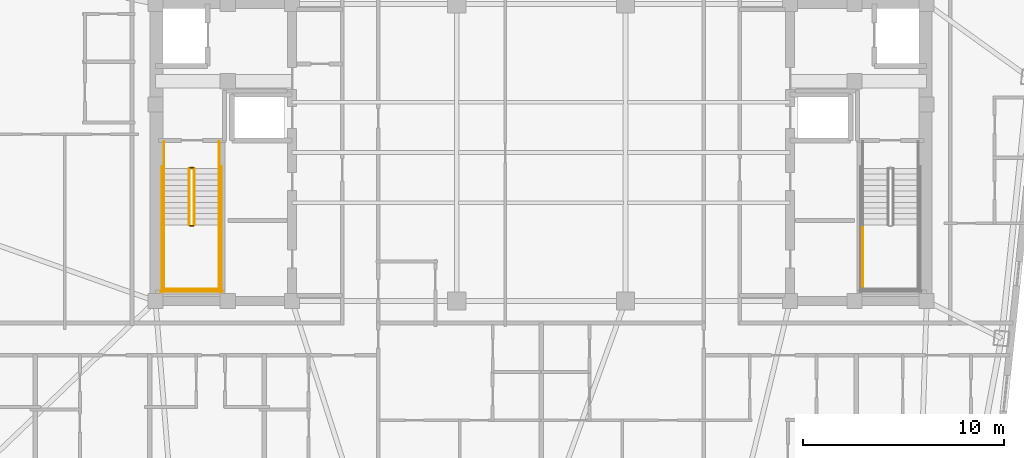
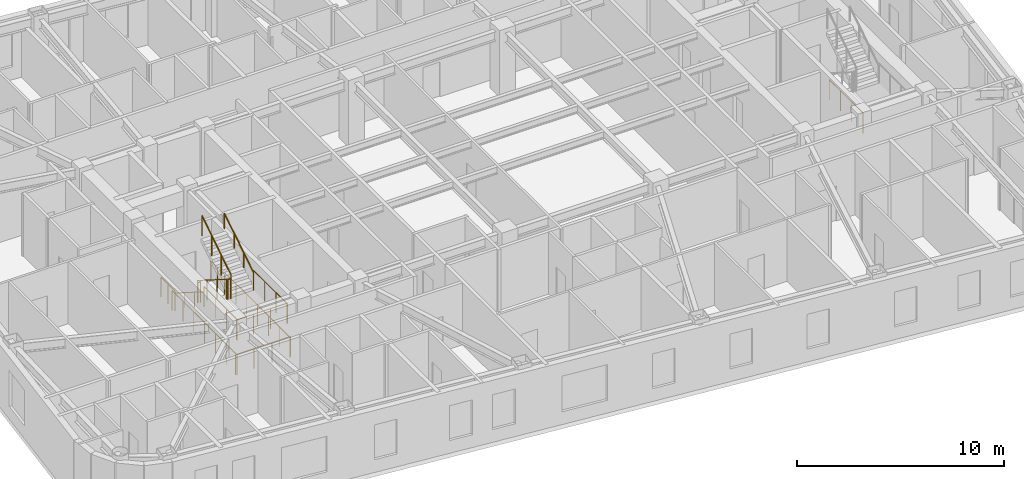
# One storey, part 10 of 11: 15 railings.
"""IFC4 building model written with IfcOpenShell, lengths in metres."""

from ifc_helpers import new_model, si_unit, direction, frame, origin, origin_2d, place, context, subcontext, project, spatial, circle, extrude, material, type_object, element, save


model = new_model("IFC4")

# Units and contexts
model_context = context("Model", 3, precision=1e-05, world=origin(), true_north=direction((0.0, 1.0)))
body_context = subcontext(model_context, "Body", "Model", "MODEL_VIEW")
ifc_project = project(units=[si_unit("LENGTHUNIT", "METRE"), si_unit("AREAUNIT", "SQUARE_METRE"), si_unit("VOLUMEUNIT", "CUBIC_METRE"), si_unit("PLANEANGLEUNIT", "RADIAN"), si_unit("MASSUNIT", "GRAM", prefix="KILO")], contexts=[model_context])

# Site, building, storey
site_placement = place(None, origin())
site = spatial("IfcSite", under=ifc_project, at=site_placement, CompositionType="ELEMENT")
building_placement = place(site_placement, origin())
building = spatial("IfcBuilding", under=site, at=building_placement, Name="Voryun Gate Residences", CompositionType="ELEMENT")
storey_placement = place(building_placement, frame((0.0, 0.0, 271.699951171875)))
storey = spatial("IfcBuildingStorey", under=building, at=storey_placement, Name="L67", CompositionType="ELEMENT", Elevation=271.699951171875)

# Railings
ifc_material_1 = material(Name="Painted steel", Category="steel")
railing_type_1 = type_object("IfcRailingType", Name="RAIL_STAIR_GUARD_1200", PredefinedType="GUARDRAIL", material=ifc_material_1)
railing_1_placement = place(storey_placement, frame((-17.52490234375, -0.800048828125, 0.17724609375)))
element("IfcRailing", 1, at=railing_1_placement, inside=storey, type_object=railing_type_1, Name="L67 ST-W1 stair guard 1", PredefinedType="GUARDRAIL", context=body_context, shape_type="SweptSolid", body=[
    extrude(circle(Radius=0.02392578125, at=origin_2d()), frame((0.0, 0.0, 1.17578125), z_axis=(0.0, -0.844908973607, 0.534910110503), x_axis=(1.0, 0.0, 0.0)), (0.0, 0.0, 1.0), 3.31396484375),
    extrude(circle(Radius=0.02099609375, at=origin_2d()), origin(), (0.0, 0.0, 1.0), 1.15185546875),
    extrude(circle(Radius=0.02099609375, at=origin_2d()), frame((0.0, -0.933349609375, 0.5908203125)), (0.0, 0.0, 1.0), 1.15185546875),
    extrude(circle(Radius=0.02099609375, at=origin_2d()), frame((0.0, -1.86669921875, 1.181884765625)), (0.0, 0.0, 1.0), 1.15185546875),
    extrude(circle(Radius=0.02099609375, at=origin_2d()), frame((0.0, -2.800048828125, 1.772705078125)), (0.0, 0.0, 1.0), 1.15185546875),
])
railing_2_placement = place(storey_placement, frame((-17.47509765625, -3.64990234375, 1.949951171875)))
element("IfcRailing", 2, at=railing_2_placement, inside=storey, type_object=railing_type_1, Name="L67 ST-W1 stair guard 2", PredefinedType="GUARDRAIL", context=body_context, shape_type="SweptSolid", body=[
    extrude(circle(Radius=0.02392578125, at=origin_2d()), frame((0.0, 0.0, 1.17578125), z_axis=(1.0, 0.0, 0.0), x_axis=(0.0, 1.0, 0.0)), (0.0, 0.0, 1.0), 0.150146484375),
    extrude(circle(Radius=0.02099609375, at=origin_2d()), origin(), (0.0, 0.0, 1.0), 1.15185546875),
    extrude(circle(Radius=0.02099609375, at=origin_2d()), frame((0.150146484375, 0.0, 0.0)), (0.0, 0.0, 1.0), 1.15185546875),
])
for number, where, name in (
    (3, (-18.77490234375, -3.60009765625, 1.949951171875), "L67 ST-W1 stair guard 3"),
    (4, (-16.02490234375, -3.60009765625, 1.949951171875), "L67 ST-W1 stair guard 4"),
):
    element("IfcRailing", number, at=place(storey_placement, frame(where)), inside=storey, type_object=railing_type_1, Name=name, PredefinedType="GUARDRAIL", context=body_context, shape_type="SweptSolid", body=[
        extrude(circle(Radius=0.02392578125, at=origin_2d()), frame((0.0, 0.0, 1.17578125), z_axis=(0.0, -1.0, 0.0), x_axis=(1.0, 0.0, 0.0)), (0.0, 0.0, 1.0), 3.25),
        extrude(circle(Radius=0.02099609375, at=origin_2d()), origin(), (0.0, 0.0, 1.0), 1.15185546875),
        extrude(circle(Radius=0.02099609375, at=origin_2d()), frame((0.0, -1.083251953125, 0.0)), (0.0, 0.0, 1.0), 1.15185546875),
        extrude(circle(Radius=0.02099609375, at=origin_2d()), frame((0.0, -2.166748046875, 0.0)), (0.0, 0.0, 1.0), 1.15185546875),
        extrude(circle(Radius=0.02099609375, at=origin_2d()), frame((0.0, -3.25, 0.0)), (0.0, 0.0, 1.0), 1.15185546875),
    ])
railing_3_placement = place(storey_placement, frame((-18.824951171875, -6.800048828125, 1.949951171875)))
element("IfcRailing", 5, at=railing_3_placement, inside=storey, type_object=railing_type_1, Name="L67 ST-W1 stair guard 5", PredefinedType="GUARDRAIL", context=body_context, shape_type="SweptSolid", body=[
    extrude(circle(Radius=0.02392578125, at=origin_2d()), frame((0.0, 0.0, 1.17578125), z_axis=(1.0, 0.0, 0.0), x_axis=(0.0, 1.0, 0.0)), (0.0, 0.0, 1.0), 2.849853515625),
    extrude(circle(Radius=0.02099609375, at=origin_2d()), origin(), (0.0, 0.0, 1.0), 1.15185546875),
    extrude(circle(Radius=0.02099609375, at=origin_2d()), frame((0.949951171875, 0.0, 0.0)), (0.0, 0.0, 1.0), 1.15185546875),
    extrude(circle(Radius=0.02099609375, at=origin_2d()), frame((1.89990234375, 0.0, 0.0)), (0.0, 0.0, 1.0), 1.15185546875),
    extrude(circle(Radius=0.02099609375, at=origin_2d()), frame((2.849853515625, 0.0, 0.0)), (0.0, 0.0, 1.0), 1.15185546875),
])
railing_4_placement = place(storey_placement, frame((-17.27490234375, -3.60009765625, 2.12744140625)))
element("IfcRailing", 6, at=railing_4_placement, inside=storey, type_object=railing_type_1, Name="L67 ST-W1 stair guard 6", PredefinedType="GUARDRAIL", context=body_context, shape_type="SweptSolid", body=[
    extrude(circle(Radius=0.02392578125, at=origin_2d()), frame((0.0, 0.0, 1.17578125), z_axis=(0.0, 0.844908973607, 0.534910110503), x_axis=(-1.0, 0.0, 0.0)), (0.0, 0.0, 1.0), 3.31396484375),
    extrude(circle(Radius=0.02099609375, at=origin_2d()), origin(), (0.0, 0.0, 1.0), 1.15185546875),
    extrude(circle(Radius=0.02099609375, at=origin_2d()), frame((0.0, 0.933349609375, 0.5908203125)), (0.0, 0.0, 1.0), 1.15185546875),
    extrude(circle(Radius=0.02099609375, at=origin_2d()), frame((0.0, 1.86669921875, 1.181884765625)), (0.0, 0.0, 1.0), 1.15185546875),
    extrude(circle(Radius=0.02099609375, at=origin_2d()), frame((0.0, 2.800048828125, 1.772705078125)), (0.0, 0.0, 1.0), 1.15185546875),
])
railing_5_placement = place(storey_placement, frame((-17.47509765625, -0.75, 0.0)))
element("IfcRailing", 7, at=railing_5_placement, inside=storey, type_object=railing_type_1, Name="L67 ST-W1 stair guard 7", PredefinedType="GUARDRAIL", context=body_context, shape_type="SweptSolid", body=[
    extrude(circle(Radius=0.02392578125, at=origin_2d()), frame((0.0, 0.0, 1.17578125), z_axis=(1.0, 0.0, 0.0), x_axis=(0.0, 1.0, 0.0)), (0.0, 0.0, 1.0), 0.150146484375),
    extrude(circle(Radius=0.02099609375, at=origin_2d()), origin(), (0.0, 0.0, 1.0), 1.15185546875),
    extrude(circle(Radius=0.02099609375, at=origin_2d()), frame((0.150146484375, 0.0, 0.0)), (0.0, 0.0, 1.0), 1.15185546875),
])
for number, where, name in (
    (8, (-18.77490234375, 0.550048828125, 0.0), "L67 ST-W1 stair guard 8"),
    (9, (-16.02490234375, 0.550048828125, 0.0), "L67 ST-W1 stair guard 9"),
):
    element("IfcRailing", number, at=place(storey_placement, frame(where)), inside=storey, type_object=railing_type_1, Name=name, PredefinedType="GUARDRAIL", context=body_context, shape_type="SweptSolid", body=[
        extrude(circle(Radius=0.02392578125, at=origin_2d()), frame((0.0, 0.0, 1.17578125), z_axis=(0.0, -1.0, 0.0), x_axis=(1.0, 0.0, 0.0)), (0.0, 0.0, 1.0), 1.35009765625),
        extrude(circle(Radius=0.02099609375, at=origin_2d()), origin(), (0.0, 0.0, 1.0), 1.15185546875),
        extrude(circle(Radius=0.02099609375, at=origin_2d()), frame((0.0, -0.675048828125, 0.0)), (0.0, 0.0, 1.0), 1.15185546875),
        extrude(circle(Radius=0.02099609375, at=origin_2d()), frame((0.0, -1.35009765625, 0.0)), (0.0, 0.0, 1.0), 1.15185546875),
    ])
for number, where, name in (
    (10, (-18.875, -0.699951171875, 0.0), "L67 ST-W1 stair guard 10"),
    (11, (-15.925048828125, -0.699951171875, 0.0), "L67 ST-W1 stair guard 11"),
):
    element("IfcRailing", number, at=place(storey_placement, frame(where)), inside=storey, type_object=railing_type_1, Name=name, PredefinedType="GUARDRAIL", context=body_context, shape_type="SweptSolid", body=[
        extrude(circle(Radius=0.02392578125, at=origin_2d()), frame((0.0, 0.0, 1.17578125), z_axis=(0.0, -1.0, 0.0), x_axis=(1.0, 0.0, 0.0)), (0.0, 0.0, 1.0), 6.25),
        extrude(circle(Radius=0.02099609375, at=origin_2d()), origin(), (0.0, 0.0, 1.0), 1.15185546875),
        extrude(circle(Radius=0.02099609375, at=origin_2d()), frame((0.0, -1.041748046875, 0.0)), (0.0, 0.0, 1.0), 1.15185546875),
        extrude(circle(Radius=0.02099609375, at=origin_2d()), frame((0.0, -2.083251953125, 0.0)), (0.0, 0.0, 1.0), 1.15185546875),
        extrude(circle(Radius=0.02099609375, at=origin_2d()), frame((0.0, -3.125, 0.0)), (0.0, 0.0, 1.0), 1.15185546875),
        extrude(circle(Radius=0.02099609375, at=origin_2d()), frame((0.0, -4.166748046875, 0.0)), (0.0, 0.0, 1.0), 1.15185546875),
        extrude(circle(Radius=0.02099609375, at=origin_2d()), frame((0.0, -5.208251953125, 0.0)), (0.0, 0.0, 1.0), 1.15185546875),
        extrude(circle(Radius=0.02099609375, at=origin_2d()), frame((0.0, -6.25, 0.0)), (0.0, 0.0, 1.0), 1.15185546875),
    ])
railing_6_placement = place(storey_placement, frame((-18.925048828125, -6.89990234375, 0.0)))
element("IfcRailing", 12, at=railing_6_placement, inside=storey, type_object=railing_type_1, Name="L67 ST-W1 stair guard 12", PredefinedType="GUARDRAIL", context=body_context, shape_type="SweptSolid", body=[
    extrude(circle(Radius=0.02392578125, at=origin_2d()), frame((0.0, 0.0, 1.17578125), z_axis=(1.0, 0.0, 0.0), x_axis=(0.0, 1.0, 0.0)), (0.0, 0.0, 1.0), 3.050048828125),
    extrude(circle(Radius=0.02099609375, at=origin_2d()), origin(), (0.0, 0.0, 1.0), 1.15185546875),
    extrude(circle(Radius=0.02099609375, at=origin_2d()), frame((1.0166015625, 0.0, 0.0)), (0.0, 0.0, 1.0), 1.15185546875),
    extrude(circle(Radius=0.02099609375, at=origin_2d()), frame((2.033447265625, 0.0, 0.0)), (0.0, 0.0, 1.0), 1.15185546875),
    extrude(circle(Radius=0.02099609375, at=origin_2d()), frame((3.050048828125, 0.0, 0.0)), (0.0, 0.0, 1.0), 1.15185546875),
])
railing_7_placement = place(storey_placement, frame((16.02490234375, -3.60009765625, 1.949951171875)))
element("IfcRailing", 13, at=railing_7_placement, inside=storey, type_object=railing_type_1, Name="L67 ST-E1 stair guard 3", PredefinedType="GUARDRAIL", context=body_context, shape_type="SweptSolid", body=[
    extrude(circle(Radius=0.02392578125, at=origin_2d()), frame((0.0, 0.0, 1.17578125), z_axis=(0.0, -1.0, 0.0), x_axis=(1.0, 0.0, 0.0)), (0.0, 0.0, 1.0), 3.25),
    extrude(circle(Radius=0.02099609375, at=origin_2d()), origin(), (0.0, 0.0, 1.0), 1.15185546875),
    extrude(circle(Radius=0.02099609375, at=origin_2d()), frame((0.0, -1.083251953125, 0.0)), (0.0, 0.0, 1.0), 1.15185546875),
    extrude(circle(Radius=0.02099609375, at=origin_2d()), frame((0.0, -2.166748046875, 0.0)), (0.0, 0.0, 1.0), 1.15185546875),
    extrude(circle(Radius=0.02099609375, at=origin_2d()), frame((0.0, -3.25, 0.0)), (0.0, 0.0, 1.0), 1.15185546875),
])
ifc_material_2 = material(Name="Painted steel", Category="steel")
railing_type_2 = type_object("IfcRailingType", Name="RAIL_STAIR_HANDRAIL_900", PredefinedType="HANDRAIL", material=ifc_material_2)
railing_8_placement = place(storey_placement, frame((-18.77490234375, -0.800048828125, 0.17724609375)))
element("IfcRailing", 14, at=railing_8_placement, inside=storey, type_object=railing_type_2, Name="L67 ST-W1 stair handrail 1", PredefinedType="HANDRAIL", context=body_context, shape_type="SweptSolid", body=[
    extrude(circle(Radius=0.02392578125, at=origin_2d()), frame((0.0, 0.0, 0.8759765625), z_axis=(0.0, -0.844908973607, 0.534910110503), x_axis=(1.0, 0.0, 0.0)), (0.0, 0.0, 1.0), 3.31396484375),
    extrude(circle(Radius=0.02099609375, at=origin_2d()), origin(), (0.0, 0.0, 1.0), 0.851806640625),
    extrude(circle(Radius=0.02099609375, at=origin_2d()), frame((0.0, -0.933349609375, 0.5908203125)), (0.0, 0.0, 1.0), 0.851806640625),
    extrude(circle(Radius=0.02099609375, at=origin_2d()), frame((0.0, -1.86669921875, 1.181884765625)), (0.0, 0.0, 1.0), 0.851806640625),
    extrude(circle(Radius=0.02099609375, at=origin_2d()), frame((0.0, -2.800048828125, 1.772705078125)), (0.0, 0.0, 1.0), 0.851806640625),
])
railing_9_placement = place(storey_placement, frame((-16.02490234375, -3.60009765625, 2.12744140625)))
element("IfcRailing", 15, at=railing_9_placement, inside=storey, type_object=railing_type_2, Name="L67 ST-W1 stair handrail 2", PredefinedType="HANDRAIL", context=body_context, shape_type="SweptSolid", body=[
    extrude(circle(Radius=0.02392578125, at=origin_2d()), frame((0.0, 0.0, 0.8759765625), z_axis=(0.0, 0.844908973607, 0.534910110503), x_axis=(-1.0, 0.0, 0.0)), (0.0, 0.0, 1.0), 3.31396484375),
    extrude(circle(Radius=0.02099609375, at=origin_2d()), origin(), (0.0, 0.0, 1.0), 0.851806640625),
    extrude(circle(Radius=0.02099609375, at=origin_2d()), frame((0.0, 0.933349609375, 0.5908203125)), (0.0, 0.0, 1.0), 0.851806640625),
    extrude(circle(Radius=0.02099609375, at=origin_2d()), frame((0.0, 1.86669921875, 1.181884765625)), (0.0, 0.0, 1.0), 0.851806640625),
    extrude(circle(Radius=0.02099609375, at=origin_2d()), frame((0.0, 2.800048828125, 1.772705078125)), (0.0, 0.0, 1.0), 0.851806640625),
])

save(model, "model.ifc")
